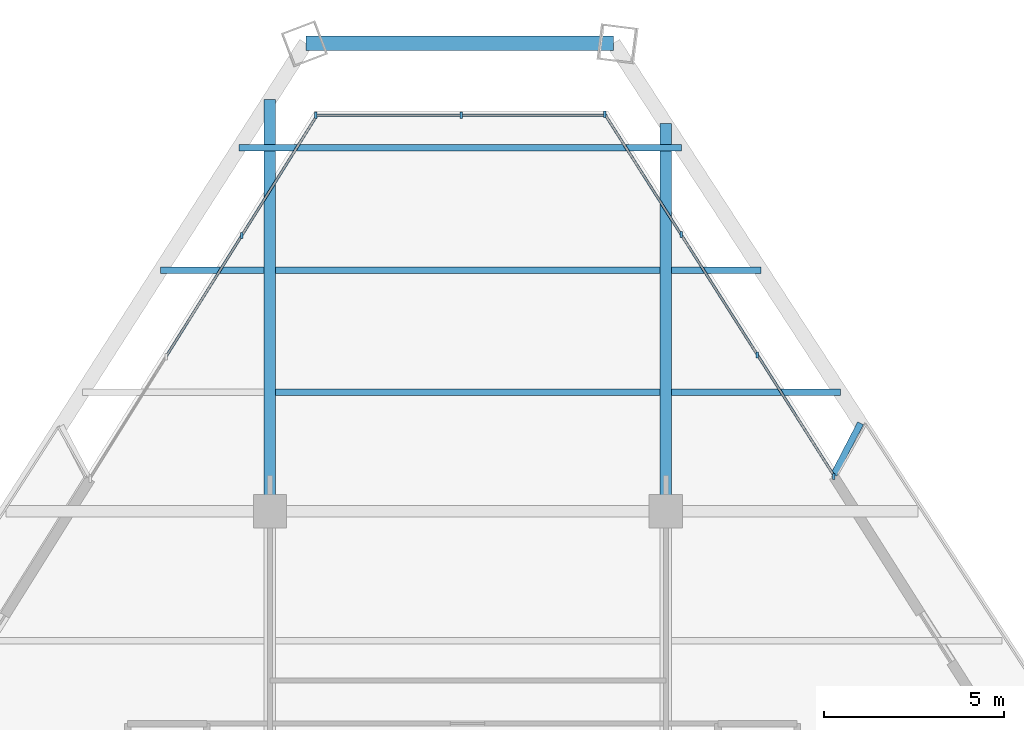
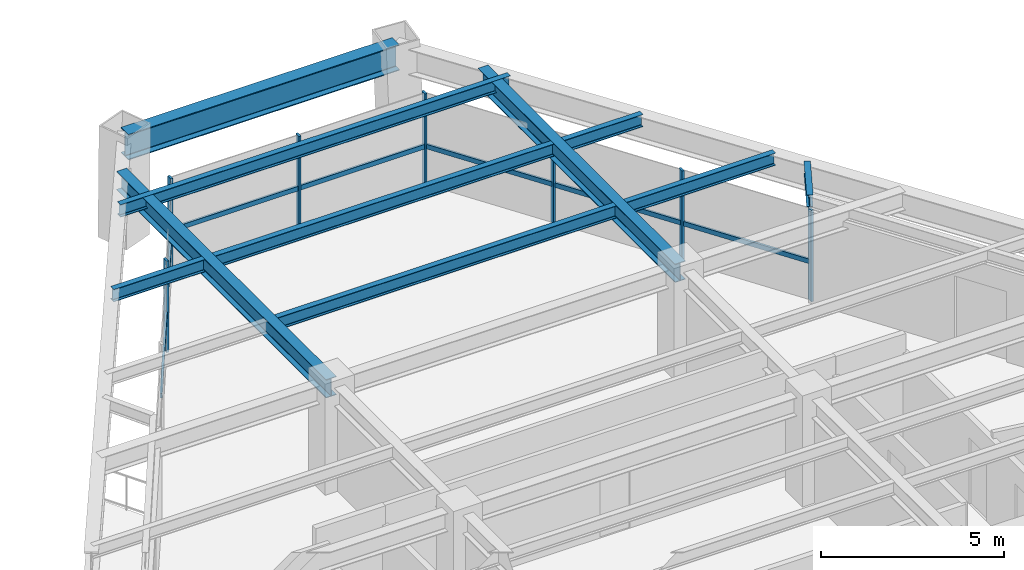
# One storey, part 9 of 15: 14 members, 10 beams, 3 elements without a shape of their own.
"""IFC4 building model written with IfcOpenShell, lengths in metres."""

from ifc_helpers import new_model, si_unit, direction, frame, origin, origin_2d, place, context, subcontext, project, spatial, rectangle, i_section, extrude, source, transform, mapped, material, material_profile, profile_set, type_object, element, aggregate, save


model = new_model("IFC4")

# Units and contexts
model_context = context("Model", 3, precision=1e-05, world=origin(), true_north=direction((0.0, 1.0)))
body_context = subcontext(model_context, "Body", "Model", "MODEL_VIEW")
ifc_project = project(units=[si_unit("LENGTHUNIT", "METRE"), si_unit("AREAUNIT", "SQUARE_METRE"), si_unit("VOLUMEUNIT", "CUBIC_METRE"), si_unit("PLANEANGLEUNIT", "RADIAN"), si_unit("MASSUNIT", "GRAM", prefix="KILO")], contexts=[model_context])

# Site, building, storey
site_placement = place(None, origin())
site = spatial("IfcSite", under=ifc_project, at=site_placement, CompositionType="ELEMENT")
building_placement = place(site_placement, origin())
building = spatial("IfcBuilding", under=site, at=building_placement, Name="Varnakhor Terracotta Tower", CompositionType="ELEMENT")
storey_placement = place(building_placement, frame((0.0, 0.0, 178.39990234375)))
storey = spatial("IfcBuildingStorey", under=building, at=storey_placement, Name="L45", CompositionType="ELEMENT", Elevation=178.39990234375)

# Beams
ifc_material_1 = material(Name="Steel S355", Category="steel")
ifc_material_profile_1 = material_profile(ifc_material_1, i_section(OverallWidth=0.179931640625, OverallDepth=0.4130859375, WebThickness=0.009765625, FlangeThickness=0.01611328125, FilletRadius=0.01806640625, at=origin_2d()), Name="W16X50")
ifc_profile_set_1 = profile_set([ifc_material_profile_1], Name="Steel S355")
beam_type_1 = type_object("IfcBeamType", Name="JST-W16X50", PredefinedType="JOIST", material=ifc_profile_set_1)
shared_shape_1 = source(origin(), body_context, "Body", "SweptSolid", [
    extrude(i_section(OverallWidth=0.179931640625, OverallDepth=0.4130859375, WebThickness=0.009765625, FlangeThickness=0.01611328125, FilletRadius=0.01806640625, at=origin_2d()), origin(), (0.0, 0.0, 1.0), 10.68310546875),
])
for number, where, z_axis, x_axis, name in (
    (1, (-5.341552734375, 34.800048828125, 3.263671875), (1.0, 0.0, 0.0), (0.0, 1.0, 0.0), "L45 Composite Floor Joist 7-2"),
    (2, (-5.341552734375, 38.199951171875, 3.263671875), (1.0, 0.0, 0.0), (0.0, 1.0, 0.0), "L45 Composite Floor Joist 8-2"),
):
    element("IfcBeam", number, at=place(storey_placement, frame(where, z_axis=z_axis, x_axis=x_axis)), inside=storey, type_object=beam_type_1, Name=name, PredefinedType="JOIST", context=body_context, shape_type="MappedRepresentation", body=[
        mapped(shared_shape_1, transform((0.0, 0.0, 0.0), scale=1.0)),
    ])
ifc_material_profile_2 = material_profile(ifc_material_1, i_section(OverallWidth=0.39990234375, OverallDepth=0.85498046875, WebThickness=0.01806640625, FlangeThickness=0.029052734375, FilletRadius=0.01806640625, at=origin_2d()), Name="W33X201")
ifc_profile_set_2 = profile_set([ifc_material_profile_2], Name="Steel S355")
beam_type_2 = type_object("IfcBeamType", Name="BM-W33X201", PredefinedType="BEAM", material=ifc_profile_set_2)
shared_shape_2 = source(origin(), body_context, "Body", "SweptSolid", [
    extrude(i_section(OverallWidth=0.39990234375, OverallDepth=0.85498046875, WebThickness=0.01806640625, FlangeThickness=0.029052734375, FilletRadius=0.01806640625, at=origin_2d()), origin(), (0.0, 0.0, 1.0), 8.549072265625),
])
beam_1_placement = place(storey_placement, frame((4.04638671875, 44.503662109375, 3.04248046875), z_axis=(-1.0, 0.0, 0.0), x_axis=(0.0, -1.0, 0.0)))
element("IfcBeam", 3, at=beam_1_placement, inside=storey, type_object=beam_type_2, Name="L45 Perimeter Spandrel 5", PredefinedType="BEAM", context=body_context, shape_type="MappedRepresentation", body=[
    mapped(shared_shape_2, transform((0.0, 0.0, 0.0), scale=1.0)),
])
ifc_material_profile_3 = material_profile(ifc_material_1, i_section(OverallWidth=0.324951171875, OverallDepth=0.615966796875, WebThickness=0.013916015625, FlangeThickness=0.02197265625, FilletRadius=0.01806640625, at=origin_2d()), Name="W24X117")
ifc_profile_set_3 = profile_set([ifc_material_profile_3], Name="Steel S355")
beam_type_3 = type_object("IfcBeamType", Name="BM-W24X117", PredefinedType="BEAM", material=ifc_profile_set_3)
shared_shape_3 = source(origin(), body_context, "Body", "SweptSolid", [
    extrude(i_section(OverallWidth=0.324951171875, OverallDepth=0.615966796875, WebThickness=0.013916015625, FlangeThickness=0.02197265625, FilletRadius=0.01806640625, at=origin_2d()), origin(), (0.0, 0.0, 1.0), 11.4453125),
])
beam_2_placement = place(storey_placement, frame((-5.5, 31.5, 3.162109375), z_axis=(0.0, 1.0, 0.0), x_axis=(-1.0, 0.0, 0.0)))
element("IfcBeam", 4, at=beam_2_placement, inside=storey, type_object=beam_type_3, Name="L45 Primary Girder NS3-W", PredefinedType="BEAM", context=body_context, shape_type="MappedRepresentation", body=[
    mapped(shared_shape_3, transform((0.0, 0.0, 0.0), scale=1.0)),
])
shared_shape_4 = source(origin(), body_context, "Body", "SweptSolid", [
    extrude(i_section(OverallWidth=0.324951171875, OverallDepth=0.615966796875, WebThickness=0.013916015625, FlangeThickness=0.02197265625, FilletRadius=0.01806640625, at=origin_2d()), origin(), (0.0, 0.0, 1.0), 10.767822265625),
])
beam_3_placement = place(storey_placement, frame((5.5, 31.5, 3.162109375), z_axis=(0.0, 1.0, 0.0), x_axis=(-1.0, 0.0, 0.0)))
element("IfcBeam", 5, at=beam_3_placement, inside=storey, type_object=beam_type_3, Name="L45 Primary Girder NS3-E", PredefinedType="BEAM", context=body_context, shape_type="MappedRepresentation", body=[
    mapped(shared_shape_4, transform((0.0, 0.0, 0.0), scale=1.0)),
])
shared_shape_5 = source(origin(), body_context, "Body", "SweptSolid", [
    extrude(i_section(OverallWidth=0.179931640625, OverallDepth=0.4130859375, WebThickness=0.009765625, FlangeThickness=0.01611328125, FilletRadius=0.01806640625, at=origin_2d()), origin(), (0.0, 0.0, 1.0), 4.697265625),
])
beam_4_placement = place(storey_placement, frame((5.658447265625, 34.800048828125, 3.263671875), z_axis=(1.0, 0.0, 0.0), x_axis=(0.0, 1.0, 0.0)))
element("IfcBeam", 6, at=beam_4_placement, inside=storey, type_object=beam_type_1, Name="L45 Composite Floor Joist 7-3", PredefinedType="JOIST", context=body_context, shape_type="MappedRepresentation", body=[
    mapped(shared_shape_5, transform((0.0, 0.0, 0.0), scale=1.0)),
])
shared_shape_6 = source(origin(), body_context, "Body", "SweptSolid", [
    extrude(i_section(OverallWidth=0.179931640625, OverallDepth=0.4130859375, WebThickness=0.009765625, FlangeThickness=0.01611328125, FilletRadius=0.01806640625, at=origin_2d()), origin(), (0.0, 0.0, 1.0), 2.87841796875),
])
beam_5_placement = place(storey_placement, frame((-8.536865234375, 38.199951171875, 3.263671875), z_axis=(1.0, 0.0, 0.0), x_axis=(0.0, 1.0, 0.0)))
element("IfcBeam", 7, at=beam_5_placement, inside=storey, type_object=beam_type_1, Name="L45 Composite Floor Joist 8-1", PredefinedType="JOIST", context=body_context, shape_type="MappedRepresentation", body=[
    mapped(shared_shape_6, transform((0.0, 0.0, 0.0), scale=1.0)),
])
shared_shape_7 = source(origin(), body_context, "Body", "SweptSolid", [
    extrude(i_section(OverallWidth=0.179931640625, OverallDepth=0.4130859375, WebThickness=0.009765625, FlangeThickness=0.01611328125, FilletRadius=0.01806640625, at=origin_2d()), origin(), (0.0, 0.0, 1.0), 2.486572265625),
])
beam_6_placement = place(storey_placement, frame((5.658447265625, 38.199951171875, 3.263671875), z_axis=(1.0, 0.0, 0.0), x_axis=(0.0, 1.0, 0.0)))
element("IfcBeam", 8, at=beam_6_placement, inside=storey, type_object=beam_type_1, Name="L45 Composite Floor Joist 8-3", PredefinedType="JOIST", context=body_context, shape_type="MappedRepresentation", body=[
    mapped(shared_shape_7, transform((0.0, 0.0, 0.0), scale=1.0)),
])
shared_shape_8 = source(origin(), body_context, "Body", "SweptSolid", [
    extrude(i_section(OverallWidth=0.179931640625, OverallDepth=0.4130859375, WebThickness=0.009765625, FlangeThickness=0.01611328125, FilletRadius=0.01806640625, at=origin_2d()), origin(), (0.0, 0.0, 1.0), 12.29541015625),
])
beam_7_placement = place(storey_placement, frame((-6.361083984375, 41.60009765625, 3.263671875), z_axis=(1.0, 0.0, 0.0), x_axis=(0.0, 1.0, 0.0)))
element("IfcBeam", 9, at=beam_7_placement, inside=storey, type_object=beam_type_1, Name="L45 Composite Floor Joist 9-1", PredefinedType="JOIST", context=body_context, shape_type="MappedRepresentation", body=[
    mapped(shared_shape_8, transform((0.0, 0.0, 0.0), scale=1.0)),
])
ifc_material_profile_4 = material_profile(ifc_material_1, i_section(OverallWidth=0.179931640625, OverallDepth=0.39990234375, WebThickness=0.008544921875, FlangeThickness=0.013427734375, FilletRadius=0.01806640625, at=origin_2d()), Name="IPE400")
ifc_profile_set_4 = profile_set([ifc_material_profile_4], Name="Steel S355")
beam_type_4 = type_object("IfcBeamType", Name="JST-IPE400", PredefinedType="JOIST", material=ifc_profile_set_4)
shared_shape_9 = source(origin(), body_context, "Body", "SweptSolid", [
    extrude(i_section(OverallWidth=0.179931640625, OverallDepth=0.39990234375, WebThickness=0.008544921875, FlangeThickness=0.013427734375, FilletRadius=0.01806640625, at=origin_2d()), origin(), (0.0, 0.0, 1.0), 1.607666015625),
])
beam_8_placement = place(storey_placement, frame((10.172119140625, 32.517578125, 3.27001953125), z_axis=(0.459984681372, 0.887926851099, 0.0), x_axis=(-0.887926851099, 0.459984681372, 0.0)))
element("IfcBeam", 10, at=beam_8_placement, inside=storey, type_object=beam_type_4, Name="L46 E Loggia Tie Beam 1", PredefinedType="JOIST", context=body_context, shape_type="MappedRepresentation", body=[
    mapped(shared_shape_9, transform((0.0, 0.0, 0.0), scale=1.0)),
])

# Curtain wall, member
ifc_material_2 = material(Name="Anodised Aluminium Curtain Wall System", Category="aluminium")
curtain_wall_type = type_object("IfcCurtainWallType", Name="CW-SYS-MID-OFFICE", PredefinedType="NOTDEFINED", material=ifc_material_2)
curtain_wall_1_placement = place(storey_placement, origin())
curtain_wall_1 = element("IfcCurtainWall", 11, at=curtain_wall_1_placement, inside=storey, type_object=curtain_wall_type, Name="L45 W Facet Curtain Wall 2", PredefinedType="NOTDEFINED")
ifc_material_3 = material(Name="Anodised Aluminium 6063-T6", Category="aluminium")
ifc_material_profile_5 = material_profile(ifc_material_3, rectangle(XDim=0.070068359375, YDim=0.175048828125, at=origin_2d()), Name="ALU MULLION 70x175")
ifc_profile_set_5 = profile_set([ifc_material_profile_5], Name="Anodised Aluminium 6063-T6")
member_type_1 = type_object("IfcMemberType", Name="CWM-03", PredefinedType="MULLION", material=ifc_profile_set_5)
shared_shape_10 = source(origin(), body_context, "Body", "SweptSolid", [
    extrude(rectangle(XDim=0.070068359375, YDim=0.175048828125, at=origin_2d()), origin(), (0.0, 0.0, 1.0), 3.050048828125),
])
member_1_placement = place(storey_placement, frame((-6.27783203125, 39.163818359375, 0.0), z_axis=(0.0, 0.0, 1.0), x_axis=(1.0, 0.0, 0.0)))
member_1 = element("IfcMember", 12, at=member_1_placement, type_object=member_type_1, Name="L45 W Facet Curtain Wall 2 Mullion 3", PredefinedType="MULLION", context=body_context, shape_type="MappedRepresentation", body=[
    mapped(shared_shape_10, transform((0.0, 0.0, 0.0), scale=1.0)),
])

# Curtain wall, members
curtain_wall_2_placement = place(storey_placement, origin())
curtain_wall_2 = element("IfcCurtainWall", 13, at=curtain_wall_2_placement, inside=storey, type_object=curtain_wall_type, Name="L45 Facet Curtain Wall 2", PredefinedType="NOTDEFINED")
member_2_placement = place(storey_placement, frame((-4.22705078125, 42.500244140625, 0.0), z_axis=(0.0, 0.0, 1.0), x_axis=(1.0, 0.0, 0.0)))
member_2 = element("IfcMember", 14, at=member_2_placement, type_object=member_type_1, Name="L45 Facet Curtain Wall 2 Mullion 1", PredefinedType="MULLION", context=body_context, shape_type="MappedRepresentation", body=[
    mapped(shared_shape_10, transform((0.0, 0.0, 0.0), scale=1.0)),
])
member_3_placement = place(storey_placement, frame((-0.182861328125, 42.500244140625, 0.0), z_axis=(0.0, 0.0, 1.0), x_axis=(1.0, 0.0, 0.0)))
member_3 = element("IfcMember", 15, at=member_3_placement, type_object=member_type_1, Name="L45 Facet Curtain Wall 2 Mullion 2", PredefinedType="MULLION", context=body_context, shape_type="MappedRepresentation", body=[
    mapped(shared_shape_10, transform((0.0, 0.0, 0.0), scale=1.0)),
])

curtain_wall_3_placement = place(storey_placement, origin())
curtain_wall_3 = element("IfcCurtainWall", 16, at=curtain_wall_3_placement, inside=storey, type_object=curtain_wall_type, Name="L45 E Facet Curtain Wall 1", PredefinedType="NOTDEFINED")
member_4_placement = place(storey_placement, frame((3.805908203125, 42.530517578125, 0.0), z_axis=(0.0, 0.0, 1.0), x_axis=(1.0, 0.0, 0.0)))
member_4 = element("IfcMember", 17, at=member_4_placement, type_object=member_type_1, Name="L45 E Facet Curtain Wall 1 Mullion 1", PredefinedType="MULLION", context=body_context, shape_type="MappedRepresentation", body=[
    mapped(shared_shape_10, transform((0.0, 0.0, 0.0), scale=1.0)),
])
member_5_placement = place(storey_placement, frame((5.92626953125, 39.18701171875, 0.0), z_axis=(0.0, 0.0, 1.0), x_axis=(1.0, 0.0, 0.0)))
member_5 = element("IfcMember", 18, at=member_5_placement, type_object=member_type_1, Name="L45 E Facet Curtain Wall 1 Mullion 2", PredefinedType="MULLION", context=body_context, shape_type="MappedRepresentation", body=[
    mapped(shared_shape_10, transform((0.0, 0.0, 0.0), scale=1.0)),
])
member_6_placement = place(storey_placement, frame((8.046875, 35.84326171875, 0.0), z_axis=(0.0, 0.0, 1.0), x_axis=(1.0, 0.0, 0.0)))
member_6 = element("IfcMember", 19, at=member_6_placement, type_object=member_type_1, Name="L45 E Facet Curtain Wall 1 Mullion 3", PredefinedType="MULLION", context=body_context, shape_type="MappedRepresentation", body=[
    mapped(shared_shape_10, transform((0.0, 0.0, 0.0), scale=1.0)),
])
member_7_placement = place(storey_placement, frame((10.16650390625, 32.46337890625, 0.0), z_axis=(0.0, 0.0, 1.0), x_axis=(1.0, 0.0, 0.0)))
member_7 = element("IfcMember", 20, at=member_7_placement, type_object=member_type_1, Name="L45 E Loggia Jamb Closure Mullion 1", PredefinedType="MULLION", context=body_context, shape_type="MappedRepresentation", body=[
    mapped(shared_shape_10, transform((0.0, 0.0, 0.0), scale=1.0)),
])

# Member
ifc_material_profile_6 = material_profile(ifc_material_3, rectangle(XDim=0.070068359375, YDim=0.155029296875, at=origin_2d()), Name="ALU TRANSOM 70x155")
ifc_profile_set_6 = profile_set([ifc_material_profile_6], Name="Anodised Aluminium 6063-T6")
member_type_2 = type_object("IfcMemberType", Name="CWT-03", PredefinedType="USERDEFINED", material=ifc_profile_set_6)
shared_shape_11 = source(origin(), body_context, "Body", "SweptSolid", [
    extrude(rectangle(XDim=0.070068359375, YDim=0.155029296875, at=origin_2d()), origin(), (0.0, 0.0, 1.0), 3.97216796875),
])
member_8_placement = place(storey_placement, frame((-8.384521484375, 35.79638671875, 1.281005859375), z_axis=(0.530369052068, 0.847766871616, 0.0), x_axis=(-0.847766871616, 0.530369052068, 0.0)))
member_8 = element("IfcMember", 21, at=member_8_placement, type_object=member_type_2, Name="L45 W Facet Curtain Wall 2 Transom 2", ObjectType="TRANSOM", PredefinedType="USERDEFINED", context=body_context, shape_type="MappedRepresentation", body=[
    mapped(shared_shape_11, transform((0.0, 0.0, 0.0), scale=1.0)),
])

shared_shape_12 = source(origin(), body_context, "Body", "SweptSolid", [
    extrude(rectangle(XDim=0.070068359375, YDim=0.155029296875, at=origin_2d()), origin(), (0.0, 0.0, 1.0), 3.971923828125),
])
member_9_placement = place(storey_placement, frame((-6.27783203125, 39.163818359375, 1.281005859375), z_axis=(0.530396689044, 0.847749581098, 0.0), x_axis=(-0.847749581098, 0.530396689044, 0.0)))
member_9 = element("IfcMember", 22, at=member_9_placement, type_object=member_type_2, Name="L45 W Facet Curtain Wall 2 Transom 3", ObjectType="TRANSOM", PredefinedType="USERDEFINED", context=body_context, shape_type="MappedRepresentation", body=[
    mapped(shared_shape_12, transform((0.0, 0.0, 0.0), scale=1.0)),
])

aggregate(curtain_wall_1, [member_8, member_1, member_9])

shared_shape_13 = source(origin(), body_context, "Body", "SweptSolid", [
    extrude(rectangle(XDim=0.070068359375, YDim=0.155029296875, at=origin_2d()), origin(), (0.0, 0.0, 1.0), 4.044189453125),
])
member_10_placement = place(storey_placement, frame((-4.22705078125, 42.500244140625, 1.281005859375), z_axis=(1.0, 0.0, 0.0), x_axis=(0.0, 1.0, 0.0)))
member_10 = element("IfcMember", 23, at=member_10_placement, type_object=member_type_2, Name="L45 Facet Curtain Wall 2 Transom 1", ObjectType="TRANSOM", PredefinedType="USERDEFINED", context=body_context, shape_type="MappedRepresentation", body=[
    mapped(shared_shape_13, transform((0.0, 0.0, 0.0), scale=1.0)),
])

shared_shape_14 = source(origin(), body_context, "Body", "SweptSolid", [
    extrude(rectangle(XDim=0.070068359375, YDim=0.155029296875, at=origin_2d()), origin(), (0.0, 0.0, 1.0), 4.0439453125),
])
member_11_placement = place(storey_placement, frame((-0.182861328125, 42.500244140625, 1.281005859375), z_axis=(1.0, 0.0, 0.0), x_axis=(0.0, 1.0, 0.0)))
member_11 = element("IfcMember", 24, at=member_11_placement, type_object=member_type_2, Name="L45 Facet Curtain Wall 2 Transom 2", ObjectType="TRANSOM", PredefinedType="USERDEFINED", context=body_context, shape_type="MappedRepresentation", body=[
    mapped(shared_shape_14, transform((0.0, 0.0, 0.0), scale=1.0)),
])

aggregate(curtain_wall_2, [member_2, member_10, member_3, member_11])

shared_shape_15 = source(origin(), body_context, "Body", "SweptSolid", [
    extrude(rectangle(XDim=0.070068359375, YDim=0.155029296875, at=origin_2d()), origin(), (0.0, 0.0, 1.0), 3.959228515625),
])
member_12_placement = place(storey_placement, frame((3.805908203125, 42.530517578125, 1.281005859375), z_axis=(0.535558115123, -0.844498374969, 0.0), x_axis=(0.844498374969, 0.535558115123, 0.0)))
member_12 = element("IfcMember", 25, at=member_12_placement, type_object=member_type_2, Name="L45 E Facet Curtain Wall 1 Transom 1", ObjectType="TRANSOM", PredefinedType="USERDEFINED", context=body_context, shape_type="MappedRepresentation", body=[
    mapped(shared_shape_15, transform((0.0, 0.0, 0.0), scale=1.0)),
])

shared_shape_16 = source(origin(), body_context, "Body", "SweptSolid", [
    extrude(rectangle(XDim=0.070068359375, YDim=0.155029296875, at=origin_2d()), origin(), (0.0, 0.0, 1.0), 3.95947265625),
])
member_13_placement = place(storey_placement, frame((5.92626953125, 39.18701171875, 1.281005859375), z_axis=(0.535574201955, -0.844488172919, 0.0), x_axis=(0.844488172919, 0.535574201955, 0.0)))
member_13 = element("IfcMember", 26, at=member_13_placement, type_object=member_type_2, Name="L45 E Facet Curtain Wall 1 Transom 2", ObjectType="TRANSOM", PredefinedType="USERDEFINED", context=body_context, shape_type="MappedRepresentation", body=[
    mapped(shared_shape_16, transform((0.0, 0.0, 0.0), scale=1.0)),
])

member_14_placement = place(storey_placement, frame((8.046875, 35.84326171875, 1.281005859375), z_axis=(0.535574201955, -0.844488172919, 0.0), x_axis=(0.844488172919, 0.535574201955, 0.0)))
member_14 = element("IfcMember", 27, at=member_14_placement, type_object=member_type_2, Name="L45 E Facet Curtain Wall 1 Transom 3", ObjectType="TRANSOM", PredefinedType="USERDEFINED", context=body_context, shape_type="MappedRepresentation", body=[
    mapped(shared_shape_16, transform((0.0, 0.0, 0.0), scale=1.0)),
])

aggregate(curtain_wall_3, [member_4, member_12, member_5, member_13, member_6, member_14, member_7])

save(model, "model.ifc")
